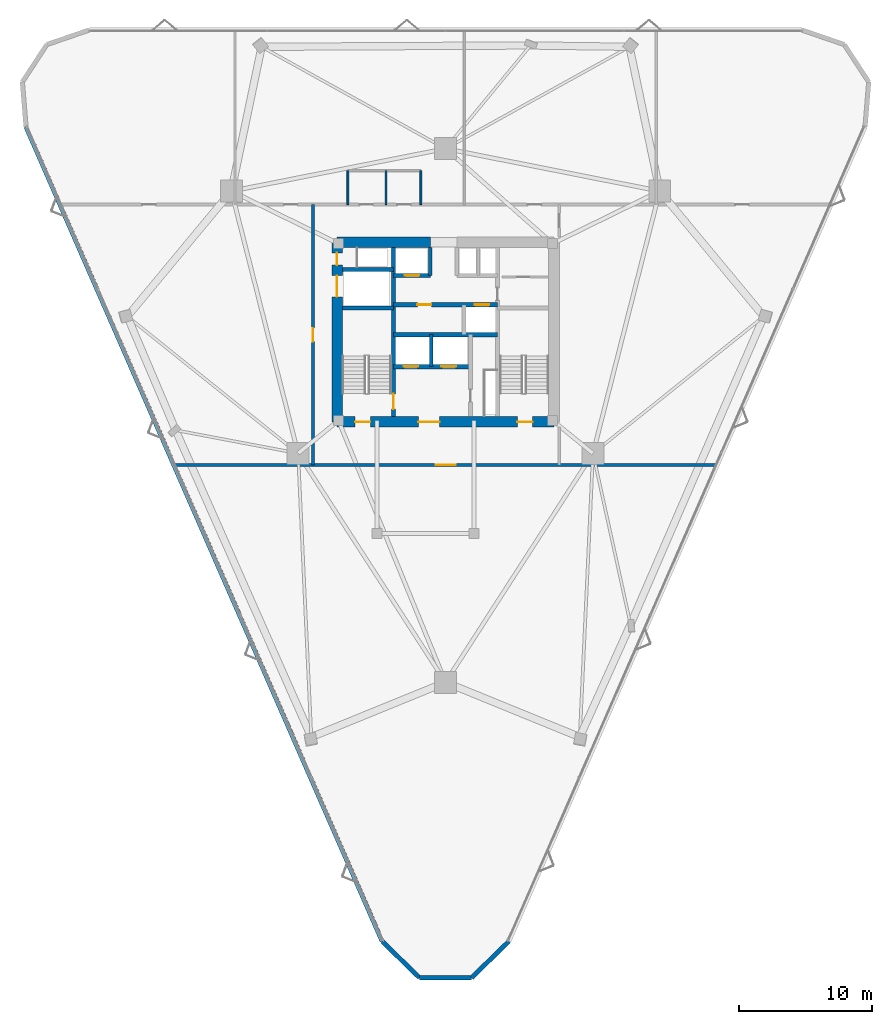
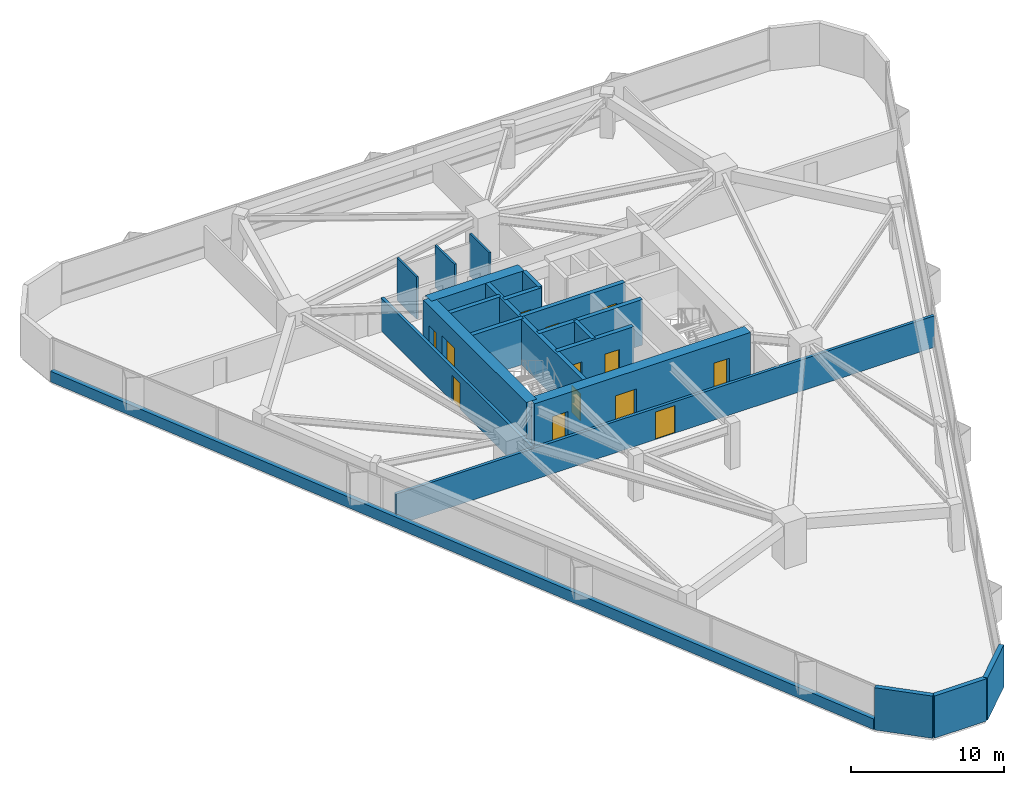
# One storey, part 15 of 19: 21 walls, 13 doors, 13 openings.
"""IFC4 building model written with IfcOpenShell, lengths in metres."""

from ifc_helpers import new_model, si_unit, direction, frame, frame_2d, origin, place, context, subcontext, project, spatial, rectangle, extrude, material, layer, layer_set, type_object, element, fill, save


model = new_model("IFC4")

# Units and contexts
model_context = context("Model", 3, precision=1e-05, world=origin(), true_north=direction((0.0, 1.0)))
body_context = subcontext(model_context, "Body", "Model", "MODEL_VIEW")
ifc_project = project(units=[si_unit("LENGTHUNIT", "METRE"), si_unit("AREAUNIT", "SQUARE_METRE"), si_unit("VOLUMEUNIT", "CUBIC_METRE"), si_unit("PLANEANGLEUNIT", "RADIAN"), si_unit("MASSUNIT", "GRAM", prefix="KILO")], contexts=[model_context])

# Site, building, storey
site_placement = place(None, origin())
site = spatial("IfcSite", under=ifc_project, at=site_placement, CompositionType="ELEMENT")
building_placement = place(site_placement, origin())
building = spatial("IfcBuilding", under=site, at=building_placement, Name="Talyreon Biosciences Tower", CompositionType="ELEMENT")
storey_placement = place(building_placement, frame((0.0, 0.0, 82.300048828125)))
storey = spatial("IfcBuildingStorey", under=building, at=storey_placement, Name="L21", CompositionType="ELEMENT", Elevation=82.300048828125)

# Walls
ifc_material_1 = material(Name="Concrete C50/60", Category="concrete")
ifc_layer_1 = layer(ifc_material_1, 0.280029296875)
ifc_layer_set_1 = layer_set([ifc_layer_1], Name="Concrete C50/60")
wall_type_1 = type_object("IfcWallType", Name="CoreShearWall_280", PredefinedType="SHEAR", material=ifc_layer_set_1)
wall_1_placement = place(storey_placement, frame((64.919921875, 65.39990234375, 0.0), z_axis=(0.0, 0.0, 1.0), x_axis=(0.0, 1.0, 0.0)))
element("IfcWall", 1, at=wall_1_placement, inside=storey, type_object=wall_type_1, Name="L21 Core Shaft Wall SWSHD1", PredefinedType="SHEAR", context=body_context, shape_type="SweptSolid", body=[
    extrude(rectangle(XDim=2.400146484375, YDim=0.280029296875, at=frame_2d((1.2001953125, 0.0))), origin(), (0.0, 0.0, 1.0), 3.64990234375),
])
wall_2_placement = place(storey_placement, frame((64.85009765625, 72.25, 0.0), z_axis=(0.0, 0.0, 1.0), x_axis=(0.0, 1.0, 0.0)))
element("IfcWall", 2, at=wall_2_placement, inside=storey, type_object=wall_type_1, Name="L21 Core Shaft Wall SWTHW", PredefinedType="SHEAR", context=body_context, shape_type="SweptSolid", body=[
    extrude(rectangle(XDim=2.10009765625, YDim=0.280029296875, at=frame_2d((1.050048828125, 0.0))), origin(), (0.0, 0.0, 1.0), 3.64990234375),
])

# Wall, opening, door
ifc_layer_2 = layer(ifc_material_1, 0.320068359375)
ifc_layer_set_2 = layer_set([ifc_layer_2], Name="Concrete C50/60")
wall_type_2 = type_object("IfcWallType", Name="CoreShearWall_320", PredefinedType="SHEAR", material=ifc_layer_set_2)
wall_3_placement = place(storey_placement, frame((62.090087890625, 61.64990234375, 0.0), z_axis=(0.0, 0.0, 1.0), x_axis=(0.0, 1.0, 0.0)))
wall_3 = element("IfcWall", 3, at=wall_3_placement, inside=storey, type_object=wall_type_2, Name="L21 Core Shaft Wall SW1E", PredefinedType="SHEAR", context=body_context, shape_type="SweptSolid", body=[
    extrude(rectangle(XDim=12.7001953125, YDim=0.320068359375, at=frame_2d((6.35009765625, 0.0))), origin(), (0.0, 0.0, 1.0), 3.64990234375),
])
opening_1_placement = place(wall_3_placement, frame((0.550048828125, 0.0, 0.0)))
opening_1 = element("IfcOpeningElement", 4, at=opening_1_placement, cuts=wall_3, Name="Opening DR-L21-FF-ST1", PredefinedType="OPENING", context=body_context, shape_type="SweptSolid", body=[
    extrude(rectangle(XDim=1.14990234375, YDim=2.14990234375, at=frame_2d((0.574951171875, 1.074951171875))), frame((0.0, 0.169921875, 0.0), z_axis=(0.0, -1.0, 0.0), x_axis=(1.0, 0.0, 0.0)), (0.0, 0.0, 1.0), 0.340087890625),
])
ifc_material_2 = material(Name="Painted steel fire door", Category="steel")
door_type_1 = type_object("IfcDoorType", Name="StairShaftFireDoor_1150x2150", OperationType="NOTDEFINED", PredefinedType="DOOR", material=ifc_material_2)
door_1_placement = place(opening_1_placement, origin())
door_1 = element("IfcDoor", 5, at=door_1_placement, inside=storey, type_object=door_type_1, Name="L21 Core Door DR-L21-FF-ST1", OperationType="SINGLE_SWING_LEFT", OverallHeight=2.14990234375, OverallWidth=1.14990234375, PredefinedType="DOOR", context=body_context, shape_type="SweptSolid", body=[
    extrude(rectangle(XDim=1.14990234375, YDim=2.14990234375, at=frame_2d((0.574951171875, 1.074951171875))), frame((0.0, 0.02490234375, 0.0), z_axis=(0.0, -1.0, 0.0), x_axis=(1.0, 0.0, 0.0)), (0.0, 0.0, 1.0), 0.050048828125),
])
fill(opening_1, door_1)

# Walls
for number, where, z_axis, x_axis, name in (
    (6, (58.25, 69.81005859375, 0.0), (0.0, 0.0, 1.0), (1.0, 0.0, 0.0), "L21 Core Shaft Wall SW1N"),
    (7, (58.25, 72.699951171875, 0.0), (0.0, 0.0, 1.0), (1.0, 0.0, 0.0), "L21 Core Shaft Wall SWGLN"),
):
    element("IfcWall", number, at=place(storey_placement, frame(where, z_axis=z_axis, x_axis=x_axis)), inside=storey, type_object=wall_type_2, Name=name, PredefinedType="SHEAR", context=body_context, shape_type="SweptSolid", body=[
        extrude(rectangle(XDim=3.840087890625, YDim=0.320068359375, at=frame_2d((1.919921875, 0.0))), origin(), (0.0, 0.0, 1.0), 3.64990234375),
    ])
wall_4_placement = place(storey_placement, frame((62.090087890625, 67.800048828125, 0.0), z_axis=(0.0, 0.0, 1.0), x_axis=(1.0, 0.0, 0.0)))
element("IfcWall", 8, at=wall_4_placement, inside=storey, type_object=wall_type_2, Name="L21 Core Shaft Wall SWSHM", PredefinedType="SHEAR", context=body_context, shape_type="SweptSolid", body=[
    extrude(rectangle(XDim=7.81982421875, YDim=0.320068359375, at=frame_2d((3.909912109375, 0.0))), origin(), (0.0, 0.0, 1.0), 3.64990234375),
])

# Wall, openings, doors
wall_5_placement = place(storey_placement, frame((62.090087890625, 70.050048828125, 0.0), z_axis=(0.0, 0.0, 1.0), x_axis=(1.0, 0.0, 0.0)))
wall_5 = element("IfcWall", 9, at=wall_5_placement, inside=storey, type_object=wall_type_2, Name="L21 Core Shaft Wall SWSPN", PredefinedType="SHEAR", context=body_context, shape_type="SweptSolid", body=[
    extrude(rectangle(XDim=7.81982421875, YDim=0.320068359375, at=frame_2d((3.909912109375, 0.0))), origin(), (0.0, 0.0, 1.0), 3.64990234375),
])
opening_2_placement = place(wall_5_placement, frame((1.800048828125, 0.0, 0.0)))
opening_2 = element("IfcOpeningElement", 10, at=opening_2_placement, cuts=wall_5, Name="Opening DR-L21-PLFREE-A", PredefinedType="OPENING", context=body_context, shape_type="SweptSolid", body=[
    extrude(rectangle(XDim=1.050048828125, YDim=2.14990234375, at=frame_2d((0.52490234375, 1.074951171875))), frame((0.0, 0.169921875, 0.0), z_axis=(0.0, -1.0, 0.0), x_axis=(1.0, 0.0, 0.0)), (0.0, 0.0, 1.0), 0.340087890625),
])
opening_3_placement = place(wall_5_placement, frame((6.10009765625, 0.0, 0.0)))
opening_3 = element("IfcOpeningElement", 11, at=opening_3_placement, cuts=wall_5, Name="Opening LD-L21-PM1", PredefinedType="OPENING", context=body_context, shape_type="SweptSolid", body=[
    extrude(rectangle(XDim=1.10009765625, YDim=2.199951171875, at=frame_2d((0.550048828125, 1.10009765625))), frame((0.0, 0.169921875, 0.0), z_axis=(0.0, -1.0, 0.0), x_axis=(1.0, 0.0, 0.0)), (0.0, 0.0, 1.0), 0.340087890625),
])
ifc_material_3 = material(Name="Acoustic timber-core laboratory door", Category="wood")
door_type_2 = type_object("IfcDoorType", Name="DryLabSingleDoor_1050x2150", OperationType="NOTDEFINED", PredefinedType="DOOR", material=ifc_material_3)
door_2_placement = place(opening_2_placement, origin())
door_2 = element("IfcDoor", 12, at=door_2_placement, inside=storey, type_object=door_type_2, Name="L21 Core Door DR-L21-PLFREE-A", OperationType="SINGLE_SWING_LEFT", OverallHeight=2.14990234375, OverallWidth=1.050048828125, PredefinedType="DOOR", context=body_context, shape_type="SweptSolid", body=[
    extrude(rectangle(XDim=1.050048828125, YDim=2.14990234375, at=frame_2d((0.52490234375, 1.074951171875))), frame((0.0, 0.02490234375, 0.0), z_axis=(0.0, -1.0, 0.0), x_axis=(1.0, 0.0, 0.0)), (0.0, 0.0, 1.0), 0.050048828125),
])
fill(opening_2, door_2)
ifc_material_4 = material(Name="Brushed stainless-steel lift landing door", Category="steel")
door_type_3 = type_object("IfcDoorType", Name="LiftSlidingLandingDoor_1100x2200", OperationType="SLIDING_TO_LEFT", PredefinedType="DOOR", material=ifc_material_4)
door_3_placement = place(opening_3_placement, origin())
door_3 = element("IfcDoor", 13, at=door_3_placement, inside=storey, type_object=door_type_3, Name="L21 Core Door LD-L21-PM1", OperationType="SLIDING_TO_LEFT", OverallHeight=2.199951171875, OverallWidth=1.10009765625, PredefinedType="DOOR", context=body_context, shape_type="SweptSolid", body=[
    extrude(rectangle(XDim=1.10009765625, YDim=2.199951171875, at=frame_2d((0.550048828125, 1.10009765625))), frame((0.0, 0.02490234375, 0.0), z_axis=(0.0, -1.0, 0.0), x_axis=(1.0, 0.0, 0.0)), (0.0, 0.0, 1.0), 0.050048828125),
])
fill(opening_3, door_3)

# Wall, opening, door
wall_6_placement = place(storey_placement, frame((62.090087890625, 72.25, 0.0), z_axis=(0.0, 0.0, 1.0), x_axis=(1.0, 0.0, 0.0)))
wall_6 = element("IfcWall", 14, at=wall_6_placement, inside=storey, type_object=wall_type_2, Name="L21 Core Shaft Wall SWNPW", PredefinedType="SHEAR", context=body_context, shape_type="SweptSolid", body=[
    extrude(rectangle(XDim=2.760009765625, YDim=0.320068359375, at=frame_2d((1.3798828125, 0.0))), origin(), (0.0, 0.0, 1.0), 3.64990234375),
])
opening_4_placement = place(wall_6_placement, frame((0.85009765625, 0.0, 0.0)))
opening_4 = element("IfcOpeningElement", 15, at=opening_4_placement, cuts=wall_6, Name="Opening LD-L21-PM2", PredefinedType="OPENING", context=body_context, shape_type="SweptSolid", body=[
    extrude(rectangle(XDim=1.10009765625, YDim=2.199951171875, at=frame_2d((0.550048828125, 1.10009765625))), frame((0.0, 0.169921875, 0.0), z_axis=(0.0, -1.0, 0.0), x_axis=(1.0, 0.0, 0.0)), (0.0, 0.0, 1.0), 0.340087890625),
])
door_4_placement = place(opening_4_placement, origin())
door_4 = element("IfcDoor", 16, at=door_4_placement, inside=storey, type_object=door_type_3, Name="L21 Core Door LD-L21-PM2", OperationType="SLIDING_TO_LEFT", OverallHeight=2.199951171875, OverallWidth=1.10009765625, PredefinedType="DOOR", context=body_context, shape_type="SweptSolid", body=[
    extrude(rectangle(XDim=1.10009765625, YDim=2.199951171875, at=frame_2d((0.550048828125, 1.10009765625))), frame((0.0, 0.02490234375, 0.0), z_axis=(0.0, -1.0, 0.0), x_axis=(1.0, 0.0, 0.0)), (0.0, 0.0, 1.0), 0.050048828125),
])
fill(opening_4, door_4)

# Wall, openings, doors
wall_7_placement = place(storey_placement, frame((62.090087890625, 65.39990234375, 0.0), z_axis=(0.0, 0.0, 1.0), x_axis=(1.0, 0.0, 0.0)))
wall_7 = element("IfcWall", 17, at=wall_7_placement, inside=storey, type_object=wall_type_2, Name="L21 Core Shaft Wall SWFFN", PredefinedType="SHEAR", context=body_context, shape_type="SweptSolid", body=[
    extrude(rectangle(XDim=5.789794921875, YDim=0.320068359375, at=frame_2d((2.89501953125, 0.0))), origin(), (0.0, 0.0, 1.0), 3.64990234375),
])
opening_5_placement = place(wall_7_placement, frame((0.75, 0.0, 0.0)))
opening_5 = element("IfcOpeningElement", 18, at=opening_5_placement, cuts=wall_7, Name="Opening LD-L21-FL1", PredefinedType="OPENING", context=body_context, shape_type="SweptSolid", body=[
    extrude(rectangle(XDim=1.10009765625, YDim=2.199951171875, at=frame_2d((0.550048828125, 1.10009765625))), frame((0.0, 0.169921875, 0.0), z_axis=(0.0, -1.0, 0.0), x_axis=(1.0, 0.0, 0.0)), (0.0, 0.0, 1.0), 0.340087890625),
])
opening_6_placement = place(wall_7_placement, frame((3.60009765625, 0.0, 0.0)))
opening_6 = element("IfcOpeningElement", 19, at=opening_6_placement, cuts=wall_7, Name="Opening LD-L21-FL2", PredefinedType="OPENING", context=body_context, shape_type="SweptSolid", body=[
    extrude(rectangle(XDim=1.10009765625, YDim=2.199951171875, at=frame_2d((0.550048828125, 1.10009765625))), frame((0.0, 0.169921875, 0.0), z_axis=(0.0, -1.0, 0.0), x_axis=(1.0, 0.0, 0.0)), (0.0, 0.0, 1.0), 0.340087890625),
])
door_5_placement = place(opening_5_placement, origin())
door_5 = element("IfcDoor", 20, at=door_5_placement, inside=storey, type_object=door_type_3, Name="L21 Core Door LD-L21-FL1", OperationType="SLIDING_TO_LEFT", OverallHeight=2.199951171875, OverallWidth=1.10009765625, PredefinedType="DOOR", context=body_context, shape_type="SweptSolid", body=[
    extrude(rectangle(XDim=1.10009765625, YDim=2.199951171875, at=frame_2d((0.550048828125, 1.10009765625))), frame((0.0, 0.02490234375, 0.0), z_axis=(0.0, -1.0, 0.0), x_axis=(1.0, 0.0, 0.0)), (0.0, 0.0, 1.0), 0.050048828125),
])
fill(opening_5, door_5)
door_6_placement = place(opening_6_placement, origin())
door_6 = element("IfcDoor", 21, at=door_6_placement, inside=storey, type_object=door_type_3, Name="L21 Core Door LD-L21-FL2", OperationType="SLIDING_TO_LEFT", OverallHeight=2.199951171875, OverallWidth=1.10009765625, PredefinedType="DOOR", context=body_context, shape_type="SweptSolid", body=[
    extrude(rectangle(XDim=1.10009765625, YDim=2.199951171875, at=frame_2d((0.550048828125, 1.10009765625))), frame((0.0, 0.02490234375, 0.0), z_axis=(0.0, -1.0, 0.0), x_axis=(1.0, 0.0, 0.0)), (0.0, 0.0, 1.0), 0.050048828125),
])
fill(opening_6, door_6)

ifc_material_5 = material(Name="Concrete C60/75", Category="concrete")
ifc_layer_3 = layer(ifc_material_5, 0.800048828125)
ifc_layer_set_3 = layer_set([ifc_layer_3], Name="Concrete C60/75")
wall_type_3 = type_object("IfcWallType", Name="CoreShearWall_800", PredefinedType="SHEAR", material=ifc_layer_set_3)
wall_8_placement = place(storey_placement, frame((57.85009765625, 61.25, 0.0), z_axis=(0.0, 0.0, 1.0), x_axis=(1.0, 0.0, 0.0)))
wall_8 = element("IfcWall", 22, at=wall_8_placement, inside=storey, type_object=wall_type_3, Name="L21 Core Shear Wall S", PredefinedType="SHEAR", context=body_context, shape_type="SweptSolid", body=[
    extrude(rectangle(XDim=16.2998046875, YDim=0.800048828125, at=frame_2d((8.14990234375, 0.0))), origin(), (0.0, 0.0, 1.0), 3.64990234375),
])
opening_7_placement = place(wall_8_placement, frame((1.35009765625, 0.0, 0.0)))
opening_7 = element("IfcOpeningElement", 23, at=opening_7_placement, cuts=wall_8, Name="Opening DR-L21-ST1", PredefinedType="OPENING", context=body_context, shape_type="SweptSolid", body=[
    extrude(rectangle(XDim=1.14990234375, YDim=2.14990234375, at=frame_2d((0.574951171875, 1.074951171875))), frame((0.0, 0.409912109375, 0.0), z_axis=(0.0, -1.0, 0.0), x_axis=(1.0, 0.0, 0.0)), (0.0, 0.0, 1.0), 0.820068359375),
])
opening_8_placement = place(wall_8_placement, frame((6.10009765625, 0.0, 0.0)))
opening_8 = element("IfcOpeningElement", 24, at=opening_8_placement, cuts=wall_8, Name="Opening DR-L21-FFL", PredefinedType="OPENING", context=body_context, shape_type="SweptSolid", body=[
    extrude(rectangle(XDim=1.60009765625, YDim=2.14990234375, at=frame_2d((0.800048828125, 1.074951171875))), frame((0.0, 0.409912109375, 0.0), z_axis=(0.0, -1.0, 0.0), x_axis=(1.0, 0.0, 0.0)), (0.0, 0.0, 1.0), 0.820068359375),
])
opening_9_placement = place(wall_8_placement, frame((13.550048828125, 0.0, 0.0)))
opening_9 = element("IfcOpeningElement", 25, at=opening_9_placement, cuts=wall_8, Name="Opening DR-L21-ST2", PredefinedType="OPENING", context=body_context, shape_type="SweptSolid", body=[
    extrude(rectangle(XDim=1.14990234375, YDim=2.14990234375, at=frame_2d((0.574951171875, 1.074951171875))), frame((0.0, 0.409912109375, 0.0), z_axis=(0.0, -1.0, 0.0), x_axis=(1.0, 0.0, 0.0)), (0.0, 0.0, 1.0), 0.820068359375),
])
ifc_material_6 = material(Name="Painted steel smoke-seal fire door", Category="steel")
door_type_4 = type_object("IfcDoorType", Name="FirefightingLobbyDoubleDoor_1600x2150", OperationType="DOUBLE_DOOR_SINGLE_SWING", PredefinedType="DOOR", material=ifc_material_6)
door_7_placement = place(opening_8_placement, origin())
door_7 = element("IfcDoor", 26, at=door_7_placement, inside=storey, type_object=door_type_4, Name="L21 Core Door DR-L21-FFL", OperationType="DOUBLE_DOOR_SINGLE_SWING", OverallHeight=2.14990234375, OverallWidth=1.60009765625, PredefinedType="DOOR", context=body_context, shape_type="SweptSolid", body=[
    extrude(rectangle(XDim=1.60009765625, YDim=2.14990234375, at=frame_2d((0.800048828125, 1.074951171875))), frame((0.0, 0.02490234375, 0.0), z_axis=(0.0, -1.0, 0.0), x_axis=(1.0, 0.0, 0.0)), (0.0, 0.0, 1.0), 0.050048828125),
])
fill(opening_8, door_7)
door_8_placement = place(opening_7_placement, origin())
door_8 = element("IfcDoor", 27, at=door_8_placement, inside=storey, type_object=door_type_1, Name="L21 Core Door DR-L21-ST1", OperationType="SINGLE_SWING_LEFT", OverallHeight=2.14990234375, OverallWidth=1.14990234375, PredefinedType="DOOR", context=body_context, shape_type="SweptSolid", body=[
    extrude(rectangle(XDim=1.14990234375, YDim=2.14990234375, at=frame_2d((0.574951171875, 1.074951171875))), frame((0.0, 0.02490234375, 0.0), z_axis=(0.0, -1.0, 0.0), x_axis=(1.0, 0.0, 0.0)), (0.0, 0.0, 1.0), 0.050048828125),
])
fill(opening_7, door_8)
door_9_placement = place(opening_9_placement, origin())
door_9 = element("IfcDoor", 28, at=door_9_placement, inside=storey, type_object=door_type_1, Name="L21 Core Door DR-L21-ST2", OperationType="SINGLE_SWING_RIGHT", OverallHeight=2.14990234375, OverallWidth=1.14990234375, PredefinedType="DOOR", context=body_context, shape_type="SweptSolid", body=[
    extrude(rectangle(XDim=1.14990234375, YDim=2.14990234375, at=frame_2d((0.574951171875, 1.074951171875))), frame((0.0, 0.02490234375, 0.0), z_axis=(0.0, -1.0, 0.0), x_axis=(1.0, 0.0, 0.0)), (0.0, 0.0, 1.0), 0.050048828125),
])
fill(opening_9, door_9)

# Wall
wall_9_placement = place(storey_placement, frame((64.85009765625, 74.75, 0.0), z_axis=(0.0, 0.0, 1.0), x_axis=(-1.0, 0.0, 0.0)))
element("IfcWall", 29, at=wall_9_placement, inside=storey, type_object=wall_type_3, Name="L21 Core Shear Wall NW", PredefinedType="SHEAR", context=body_context, shape_type="SweptSolid", body=[
    extrude(rectangle(XDim=7.0, YDim=0.800048828125, at=frame_2d((3.5, 0.0))), origin(), (0.0, 0.0, 1.0), 3.64990234375),
])

# Wall, openings, doors
wall_10_placement = place(storey_placement, frame((57.85009765625, 74.75, 0.0), z_axis=(0.0, 0.0, 1.0), x_axis=(0.0, -1.0, 0.0)))
wall_10 = element("IfcWall", 30, at=wall_10_placement, inside=storey, type_object=wall_type_3, Name="L21 Core Shear Wall W", PredefinedType="SHEAR", context=body_context, shape_type="SweptSolid", body=[
    extrude(rectangle(XDim=13.5, YDim=0.800048828125, at=frame_2d((6.75, 0.0))), origin(), (0.0, 0.0, 1.0), 3.64990234375),
])
opening_10_placement = place(wall_10_placement, frame((0.800048828125, 0.0, 0.0)))
opening_10 = element("IfcOpeningElement", 31, at=opening_10_placement, cuts=wall_10, Name="Opening DR-L21-RSW", PredefinedType="OPENING", context=body_context, shape_type="SweptSolid", body=[
    extrude(rectangle(XDim=0.919921875, YDim=2.050048828125, at=frame_2d((0.4599609375, 1.02490234375))), frame((0.0, 0.409912109375, 0.0), z_axis=(0.0, -1.0, 0.0), x_axis=(1.0, 0.0, 0.0)), (0.0, 0.0, 1.0), 0.820068359375),
])
opening_11_placement = place(wall_10_placement, frame((2.5, 0.0, 0.0)))
opening_11 = element("IfcOpeningElement", 32, at=opening_11_placement, cuts=wall_10, Name="Opening LD-L21-GL1", PredefinedType="OPENING", context=body_context, shape_type="SweptSolid", body=[
    extrude(rectangle(XDim=1.60009765625, YDim=2.300048828125, at=frame_2d((0.800048828125, 1.14990234375))), frame((0.0, 0.409912109375, 0.0), z_axis=(0.0, -1.0, 0.0), x_axis=(1.0, 0.0, 0.0)), (0.0, 0.0, 1.0), 0.820068359375),
])
ifc_material_7 = material(Name="Heavy-duty stainless-steel goods lift door", Category="steel")
door_type_5 = type_object("IfcDoorType", Name="GoodsLiftSlidingDoor_1600x2300", OperationType="DOUBLE_DOOR_SLIDING", PredefinedType="DOOR", material=ifc_material_7)
door_10_placement = place(opening_11_placement, origin())
door_10 = element("IfcDoor", 33, at=door_10_placement, inside=storey, type_object=door_type_5, Name="L21 Core Door LD-L21-GL1", OperationType="DOUBLE_DOOR_SLIDING", OverallHeight=2.300048828125, OverallWidth=1.60009765625, PredefinedType="DOOR", context=body_context, shape_type="SweptSolid", body=[
    extrude(rectangle(XDim=1.60009765625, YDim=2.300048828125, at=frame_2d((0.800048828125, 1.14990234375))), frame((0.0, 0.02490234375, 0.0), z_axis=(0.0, -1.0, 0.0), x_axis=(1.0, 0.0, 0.0)), (0.0, 0.0, 1.0), 0.050048828125),
])
fill(opening_11, door_10)
ifc_material_8 = material(Name="Painted steel fire-rated riser door", Category="steel")
door_type_6 = type_object("IfcDoorType", Name="RiserPlantAccessDoor_920x2050", OperationType="NOTDEFINED", PredefinedType="DOOR", material=ifc_material_8)
door_11_placement = place(opening_10_placement, origin())
door_11 = element("IfcDoor", 34, at=door_11_placement, inside=storey, type_object=door_type_6, Name="L21 Core Door DR-L21-RSW", OperationType="SINGLE_SWING_LEFT", OverallHeight=2.050048828125, OverallWidth=0.919921875, PredefinedType="DOOR", context=body_context, shape_type="SweptSolid", body=[
    extrude(rectangle(XDim=0.919921875, YDim=2.050048828125, at=frame_2d((0.4599609375, 1.02490234375))), frame((0.0, 0.02490234375, 0.0), z_axis=(0.0, -1.0, 0.0), x_axis=(1.0, 0.0, 0.0)), (0.0, 0.0, 1.0), 0.050048828125),
])
fill(opening_10, door_11)

# Wall, opening, door
ifc_material_9 = material(Name="Gypsum fireboard acoustic stud", Category="gypsum")
ifc_layer_4 = layer(ifc_material_9, 0.219970703125)
ifc_layer_set_4 = layer_set([ifc_layer_4], Name="Gypsum fireboard acoustic stud")
wall_type_4 = type_object("IfcWallType", Name="CorridorRatedPartition_220", PredefinedType="PARTITIONING", material=ifc_layer_set_4)
wall_11_placement = place(storey_placement, frame((45.668212890625, 58.0, 0.0), z_axis=(0.0, 0.0, 1.0), x_axis=(1.0, 0.0, 0.0)))
wall_11 = element("IfcWall", 35, at=wall_11_placement, inside=storey, type_object=wall_type_4, Name="L21 Interior Wall IW-L21-COR-S", PredefinedType="PARTITIONING", context=body_context, shape_type="SweptSolid", body=[
    extrude(rectangle(XDim=40.66357421875, YDim=0.219970703125, at=frame_2d((20.331787109375, 0.0))), origin(), (0.0, 0.0, 1.0), 2.5048828125),
])
opening_12_placement = place(wall_11_placement, frame((19.58203125, 0.0, 0.0)))
opening_12 = element("IfcOpeningElement", 36, at=opening_12_placement, cuts=wall_11, Name="Opening DR-L21-S1A", PredefinedType="OPENING", context=body_context, shape_type="SweptSolid", body=[
    extrude(rectangle(XDim=1.5, YDim=2.199951171875, at=frame_2d((0.75, 1.10009765625))), frame((0.0, 0.119873046875, 0.0), z_axis=(0.0, -1.0, 0.0), x_axis=(1.0, 0.0, 0.0)), (0.0, 0.0, 1.0), 0.239990234375),
])
ifc_material_10 = material(Name="Vision-panel steel laboratory fire door", Category="steel")
door_type_7 = type_object("IfcDoorType", Name="WetLabDoubleLeafDoor_1500x2200", OperationType="DOUBLE_DOOR_SINGLE_SWING", PredefinedType="DOOR", material=ifc_material_10)
door_12_placement = place(opening_12_placement, origin())
door_12 = element("IfcDoor", 37, at=door_12_placement, inside=storey, type_object=door_type_7, Name="L21 Interior Door DR-L21-S1A", OperationType="DOUBLE_DOOR_SINGLE_SWING", OverallHeight=2.199951171875, OverallWidth=1.5, PredefinedType="DOOR", context=body_context, shape_type="SweptSolid", body=[
    extrude(rectangle(XDim=1.5, YDim=2.199951171875, at=frame_2d((0.75, 1.10009765625))), frame((0.0, 0.02490234375, 0.0), z_axis=(0.0, -1.0, 0.0), x_axis=(1.0, 0.0, 0.0)), (0.0, 0.0, 1.0), 0.050048828125),
])
fill(opening_12, door_12)

wall_12_placement = place(storey_placement, frame((56.030029296875, 58.0, 0.0), z_axis=(0.0, 0.0, 1.0), x_axis=(0.0, 1.0, 0.0)))
wall_12 = element("IfcWall", 38, at=wall_12_placement, inside=storey, type_object=wall_type_4, Name="L21 Interior Wall IW-L21-COR-W", PredefinedType="PARTITIONING", context=body_context, shape_type="SweptSolid", body=[
    extrude(rectangle(XDim=19.580078125, YDim=0.219970703125, at=frame_2d((9.7900390625, 0.0))), origin(), (0.0, 0.0, 1.0), 2.655029296875),
])
opening_13_placement = place(wall_12_placement, frame((9.2900390625, 0.0, 0.0)))
opening_13 = element("IfcOpeningElement", 39, at=opening_13_placement, cuts=wall_12, Name="Opening DR-L21-W1A", PredefinedType="OPENING", context=body_context, shape_type="SweptSolid", body=[
    extrude(rectangle(XDim=1.0, YDim=2.10009765625, at=frame_2d((0.5, 1.050048828125))), frame((0.0, 0.119873046875, 0.0), z_axis=(0.0, -1.0, 0.0), x_axis=(1.0, 0.0, 0.0)), (0.0, 0.0, 1.0), 0.239990234375),
])
ifc_material_11 = material(Name="Acoustic oak veneer office door", Category="wood")
door_type_8 = type_object("IfcDoorType", Name="WriteupOfficeDoor_1000x2100", OperationType="NOTDEFINED", PredefinedType="DOOR", material=ifc_material_11)
door_13_placement = place(opening_13_placement, origin())
door_13 = element("IfcDoor", 40, at=door_13_placement, inside=storey, type_object=door_type_8, Name="L21 Interior Door DR-L21-W1A", OperationType="SINGLE_SWING_RIGHT", OverallHeight=2.10009765625, OverallWidth=1.0, PredefinedType="DOOR", context=body_context, shape_type="SweptSolid", body=[
    extrude(rectangle(XDim=1.0, YDim=2.10009765625, at=frame_2d((0.5, 1.050048828125))), frame((0.0, 0.02490234375, 0.0), z_axis=(0.0, -1.0, 0.0), x_axis=(1.0, 0.0, 0.0)), (0.0, 0.0, 1.0), 0.050048828125),
])
fill(opening_13, door_13)

# Walls
ifc_material_12 = material(Name="Precast concrete C45/55", Category="concrete")
ifc_layer_5 = layer(ifc_material_12, 0.340087890625)
ifc_layer_set_5 = layer_set([ifc_layer_5], Name="Precast concrete C45/55")
wall_type_5 = type_object("IfcWallType", Name="PrecastConcreteSpandrelWall_340", PredefinedType="STANDARD", material=ifc_layer_set_5)
wall_13_placement = place(storey_placement, frame((61.235595703125, 22.191162109375, 0.0), z_axis=(0.0, 0.0, 1.0), x_axis=(-0.400686629733, 0.916215162914, 0.0)))
element("IfcWall", 41, at=wall_13_placement, inside=storey, type_object=wall_type_5, Name="L21 Expressed Concrete Sill Wall 00", PredefinedType="STANDARD", context=body_context, shape_type="SweptSolid", body=[
    extrude(rectangle(XDim=66.84619140625, YDim=0.340087890625, at=frame_2d((33.423095703125, 0.0))), origin(), (0.0, 0.0, 1.0), 0.849853515625),
])
wall_14_placement = place(storey_placement, frame((70.764404296875, 22.191162109375, 0.0), z_axis=(0.0, 0.0, 1.0), x_axis=(-0.716301473577, -0.697790942153, 0.0)))
element("IfcWall", 42, at=wall_14_placement, inside=storey, type_object=wall_type_5, Name="L21 Rounded-Corner Concrete Pier 09", PredefinedType="STANDARD", context=body_context, shape_type="SweptSolid", body=[
    extrude(rectangle(XDim=3.917236328125, YDim=0.340087890625, at=frame_2d((1.95849609375, 0.0))), origin(), (0.0, 0.0, 1.0), 3.375),
])
wall_15_placement = place(storey_placement, frame((67.95849609375, 19.457763671875, 0.0), z_axis=(0.0, 0.0, 1.0), x_axis=(-1.0, 0.0, 0.0)))
element("IfcWall", 43, at=wall_15_placement, inside=storey, type_object=wall_type_5, Name="L21 Rounded-Corner Concrete Pier 10", PredefinedType="STANDARD", context=body_context, shape_type="SweptSolid", body=[
    extrude(rectangle(XDim=3.9169921875, YDim=0.340087890625, at=frame_2d((1.95849609375, 0.0))), origin(), (0.0, 0.0, 1.0), 3.375),
])
wall_16_placement = place(storey_placement, frame((64.04150390625, 19.457763671875, 0.0), z_axis=(0.0, 0.0, 1.0), x_axis=(-0.716301473577, 0.697790942153, 0.0)))
element("IfcWall", 44, at=wall_16_placement, inside=storey, type_object=wall_type_5, Name="L21 Rounded-Corner Concrete Pier 11", PredefinedType="STANDARD", context=body_context, shape_type="SweptSolid", body=[
    extrude(rectangle(XDim=3.917236328125, YDim=0.340087890625, at=frame_2d((1.95849609375, 0.0))), origin(), (0.0, 0.0, 1.0), 3.375),
])
ifc_material_13 = material(Name="Moisture-resistant cement-board stud", Category="gypsum")
ifc_layer_6 = layer(ifc_material_13, 0.14501953125)
ifc_layer_set_6 = layer_set([ifc_layer_6], Name="Moisture-resistant cement-board stud")
wall_type_6 = type_object("IfcWallType", Name="WetRoomPartition_145", PredefinedType="PARTITIONING", material=ifc_layer_set_6)
for number, where, z_axis, x_axis, name in (
    (45, (58.64990234375, 77.580078125, 0.0), (0.0, 0.0, 1.0), (0.0, 1.0, 0.0), "L21 Interior Wall IW-L21-WCL"),
    (46, (61.52490234375, 77.580078125, 0.0), (0.0, 0.0, 1.0), (0.0, 1.0, 0.0), "L21 Interior Wall IW-L21-WCM"),
    (47, (64.14990234375, 77.580078125, 0.0), (0.0, 0.0, 1.0), (0.0, 1.0, 0.0), "L21 Interior Wall IW-L21-WCR"),
):
    element("IfcWall", number, at=place(storey_placement, frame(where, z_axis=z_axis, x_axis=x_axis)), inside=storey, type_object=wall_type_6, Name=name, PredefinedType="PARTITIONING", context=body_context, shape_type="SweptSolid", body=[
        extrude(rectangle(XDim=2.5498046875, YDim=0.14501953125, at=frame_2d((1.27490234375, 0.0))), origin(), (0.0, 0.0, 1.0), 3.375),
    ])

save(model, "model.ifc")
